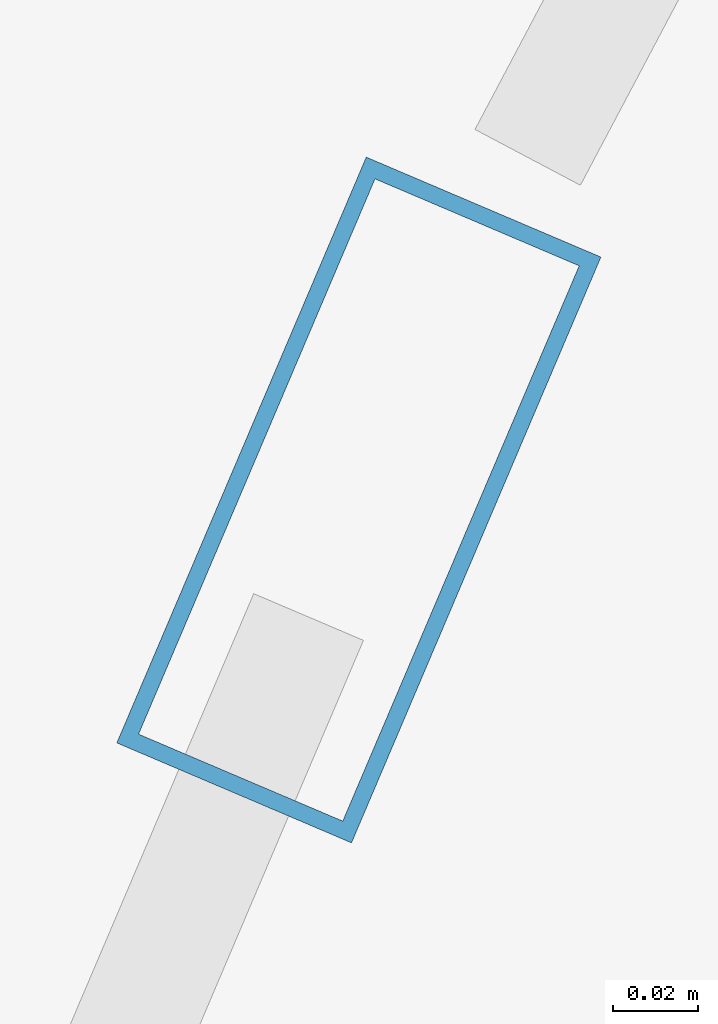
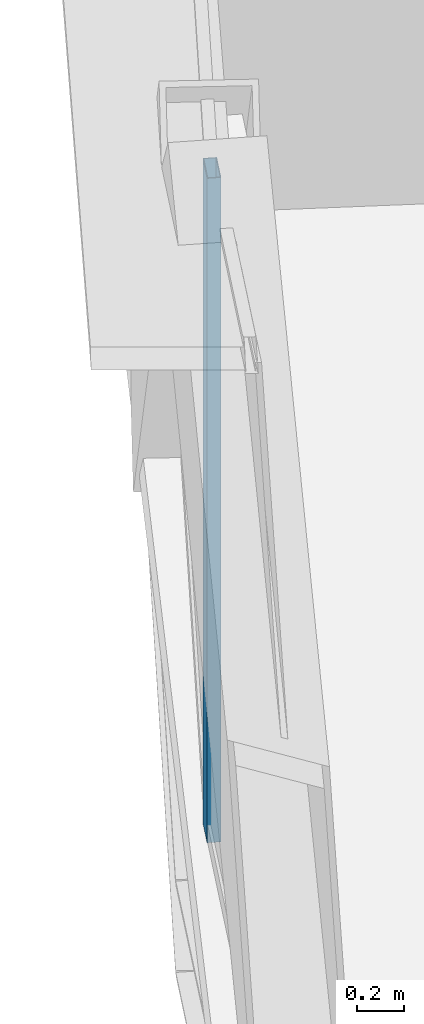
# One storey, part 8 of 39: 1 member, 1 element without a shape of its own.
"""IFC4 building model written with IfcOpenShell, lengths in metres."""

from ifc_helpers import new_model, si_unit, direction, frame, origin, origin_2d, place, context, subcontext, project, spatial, hollow_rectangle, extrude, source, transform, mapped, material, layer, layer_set, material_profile, profile_set, type_object, element, aggregate, save


model = new_model("IFC4")

# Units and contexts
model_context = context("Model", 3, precision=1e-05, world=origin(), true_north=direction((0.0, 1.0)))
body_context = subcontext(model_context, "Body", "Model", "MODEL_VIEW")
ifc_project = project(units=[si_unit("LENGTHUNIT", "METRE"), si_unit("AREAUNIT", "SQUARE_METRE"), si_unit("VOLUMEUNIT", "CUBIC_METRE"), si_unit("PLANEANGLEUNIT", "RADIAN"), si_unit("MASSUNIT", "GRAM", prefix="KILO"), si_unit("THERMODYNAMICTEMPERATUREUNIT", "KELVIN"), si_unit("POWERUNIT", "WATT")], contexts=[model_context])

# Site, building, storey
site_placement = place(None, origin())
site = spatial("IfcSite", under=ifc_project, at=site_placement, CompositionType="ELEMENT")
building_placement = place(site_placement, origin())
building = spatial("IfcBuilding", under=site, at=building_placement, Name="Yunzhuo Pagoda Commons", CompositionType="ELEMENT")
storey_placement = place(building_placement, frame((0.0, 0.0, 140.8701171875)))
storey = spatial("IfcBuildingStorey", under=building, at=storey_placement, Name="L35", CompositionType="ELEMENT", Elevation=140.8701171875)

# Curtain wall, member
ifc_material = material(Name="Anodized aluminium 6063-T6", Category="aluminium")
ifc_layer = layer(ifc_material, 0.14990234375)
ifc_layer_set = layer_set([ifc_layer], Name="Anodized aluminium 6063-T6")
curtain_wall_type = type_object("IfcCurtainWallType", Name="CW-MID Mid-Zone Ribbon Curtain Wall", PredefinedType="NOTDEFINED", material=ifc_layer_set)
curtain_wall_placement = place(storey_placement, origin())
curtain_wall = element("IfcCurtainWall", 1, at=curtain_wall_placement, inside=storey, type_object=curtain_wall_type, Name="L35 curtain wall CW-L35-F3B4", PredefinedType="NOTDEFINED")
ifc_material_profile = material_profile(ifc_material, hollow_rectangle(XDim=0.06005859375, YDim=0.14990234375, WallThickness=0.00390625, at=origin_2d()), Name="Anodized aluminium 6063-T6")
ifc_profile_set = profile_set([ifc_material_profile], Name="Anodized aluminium 6063-T6")
member_type = type_object("IfcMemberType", Name="CW-MID-M Mullion RHS 150x60x4", PredefinedType="MULLION", material=ifc_profile_set)
shared_shape = source(origin(), body_context, "Body", "SweptSolid", [
    extrude(hollow_rectangle(XDim=0.06005859375, YDim=0.14990234375, WallThickness=0.00390625, at=origin_2d()), origin(), (0.0, 0.0, 1.0), 3.419921875),
])
member_placement = place(storey_placement, frame((16.53662109375, 43.8916015625, 0.0), z_axis=(0.0, 0.0, 1.0), x_axis=(0.920072228059, -0.391748765351, 0.0)))
member = element("IfcMember", 2, at=member_placement, type_object=member_type, Name="CW mullion 1", PredefinedType="MULLION", context=body_context, shape_type="MappedRepresentation", body=[
    mapped(shared_shape, transform((0.0, 0.0, 0.0), scale=1.0)),
])
aggregate(curtain_wall, [member])

save(model, "model.ifc")
